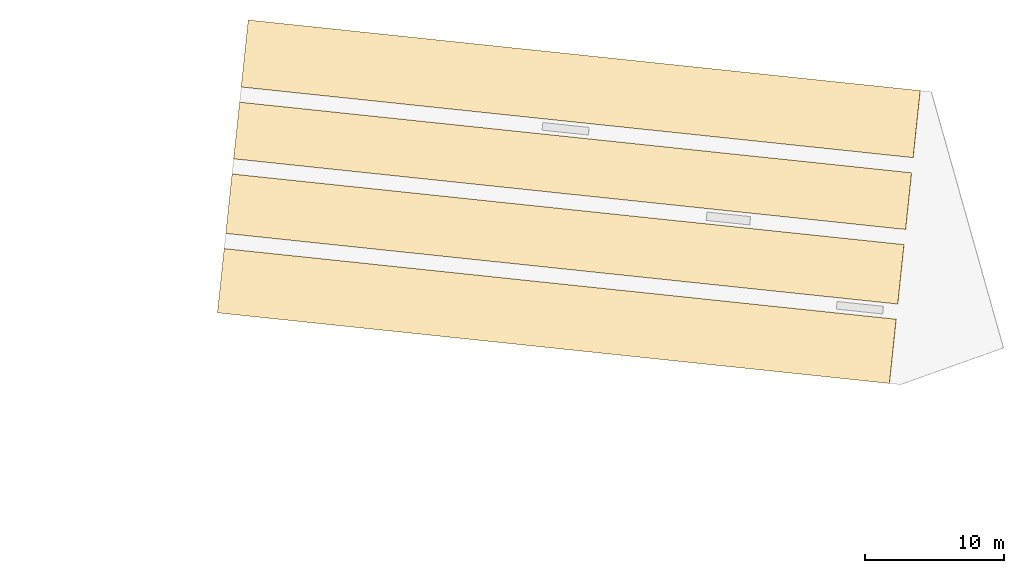
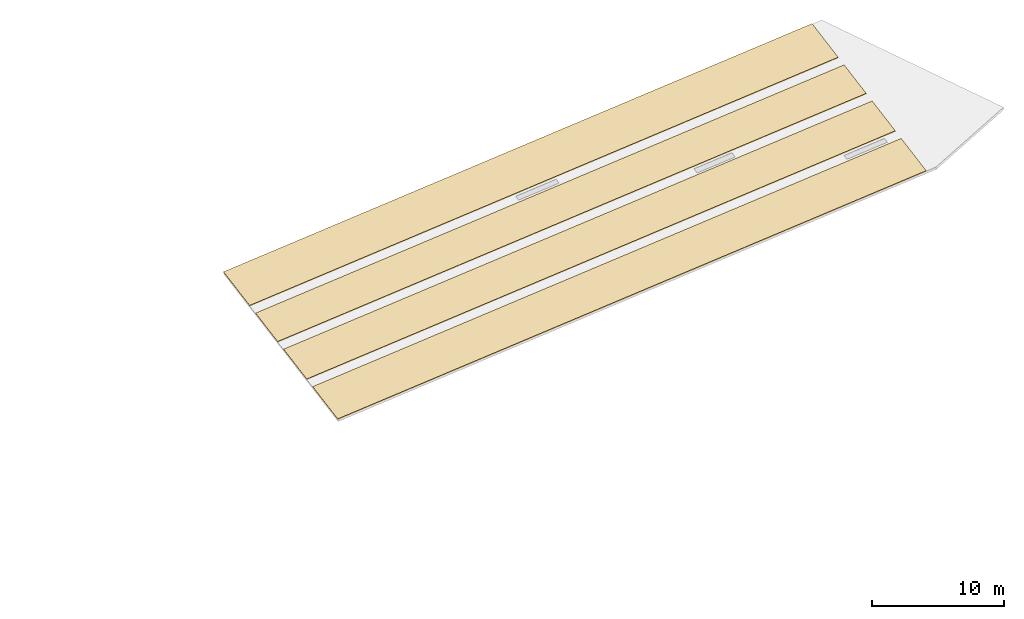
# One storey, part 16 of 16: 4 coverings.
"""IFC4 building model written with IfcOpenShell, lengths in metres."""

from ifc_helpers import new_model, si_unit, direction, frame, origin, place, context, subcontext, project, spatial, polyline, outline, extrude, material, layer, layer_set, type_object, element, save


model = new_model("IFC4")

# Units and contexts
model_context = context("Model", 3, precision=1e-05, world=origin(), true_north=direction((0.0, 1.0)))
body_context = subcontext(model_context, "Body", "Model", "MODEL_VIEW")
ifc_project = project(units=[si_unit("LENGTHUNIT", "METRE"), si_unit("AREAUNIT", "SQUARE_METRE"), si_unit("VOLUMEUNIT", "CUBIC_METRE"), si_unit("PLANEANGLEUNIT", "RADIAN"), si_unit("MASSUNIT", "GRAM", prefix="KILO")], contexts=[model_context])

# Site, building, storey
site_placement = place(None, origin())
site = spatial("IfcSite", under=ifc_project, at=site_placement, CompositionType="ELEMENT")
building_placement = place(site_placement, origin())
building = spatial("IfcBuilding", under=site, at=building_placement, Name="Kestramere Prow Commons", CompositionType="ELEMENT")
storey_placement = place(building_placement, frame((0.0, 0.0, 40.89990234375)))
storey = spatial("IfcBuildingStorey", under=building, at=storey_placement, Name="L12", CompositionType="ELEMENT", Elevation=40.89990234375)

# Coverings
ifc_material = material(Name="Fluoropolymer Standing-Seam Zinc-Aluminium Roofing", Category="aluminium")
ifc_layer = layer(ifc_material, 0.044921875)
ifc_layer_set = layer_set([ifc_layer], Name="Fluoropolymer Standing-Seam Zinc-Aluminium Roofing")
covering_type = type_object("IfcCoveringType", Name="COV-ROOF-SEAM", PredefinedType="ROOFING", material=ifc_layer_set)
covering_1_placement = place(storey_placement, frame((109.27001953125, 94.072265625, -4.40478515625), z_axis=(-0.181434294039, 0.019070619757, 0.983218138771), x_axis=(0.977832144987, -0.102772587007, 0.182433800567)))
element("IfcCovering", 1, at=covering_1_placement, inside=storey, type_object=covering_type, Name="Block B Standing-Seam Prow Roofing Strip 1", PredefinedType="ROOFING", context=body_context, shape_type="SweptSolid", body=[
    extrude(outline(polyline([(0.0, 0.0), (49.4801700161711, 2.9525027442443147e-16), (49.48020552827478, 4.64998777153885), (3.551210368518687e-05, 4.649987771538851), (0.0, 0.0)])), origin(), (0.0, 0.0, -1.0), 0.044921875),
])
covering_2_placement = place(storey_placement, frame((109.87109375, 99.790771484375, -4.40478515625), z_axis=(-0.181434425932, 0.019068922338, 0.983218147355), x_axis=(0.977832153523, -0.102772587904, 0.182433754312)))
element("IfcCovering", 2, at=covering_2_placement, inside=storey, type_object=covering_type, Name="Block B Standing-Seam Prow Roofing Strip 2", PredefinedType="ROOFING", context=body_context, shape_type="SweptSolid", body=[
    extrude(outline(polyline([(0.0, 0.0), (49.480170016171044, -2.757515759786375e-16), (49.48017595975051, 4.2999224658515525), (-1.9147384372641962e-05, 4.300165269094204), (0.0, 0.0)])), origin(), (0.0, 0.0, -1.0), 0.044921875),
])
covering_3_placement = place(storey_placement, frame((110.435546875, 105.1611328125, -4.40478515625), z_axis=(-0.18143391603, 0.019070005963, 0.98321822043), x_axis=(0.977832226199, -0.102772595543, 0.182433360471)))
element("IfcCovering", 3, at=covering_3_placement, inside=storey, type_object=covering_type, Name="Block B Standing-Seam Prow Roofing Strip 3", PredefinedType="ROOFING", context=body_context, shape_type="SweptSolid", body=[
    extrude(outline(polyline([(0.0, 0.0), (49.48017001616614, -8.17617187062053e-16), (49.48030807730914, 4.100111493420513), (-0.00010066742785003191, 4.10008597415934), (0.0, 0.0)])), origin(), (0.0, 0.0, -1.0), 0.044921875),
])
covering_4_placement = place(storey_placement, frame((110.97900390625, 110.332763671875, -4.40478515625), z_axis=(-0.181433957282, 0.019064960662, 0.983218310661), x_axis=(0.977832369852, -0.102772092056, 0.182432874132)))
element("IfcCovering", 4, at=covering_4_placement, inside=storey, type_object=covering_type, Name="Block B Standing-Seam Prow Roofing Strip 4", PredefinedType="ROOFING", context=body_context, shape_type="SweptSolid", body=[
    extrude(outline(polyline([(0.0, 0.0), (49.48040874474847, -7.252025043848198e-16), (49.48031464053708, 4.8497987440676615), (-0.00011919505418234166, 4.850041547341365), (0.0, 0.0)])), origin(), (0.0, 0.0, -1.0), 0.044921875),
])

save(model, "model.ifc")
